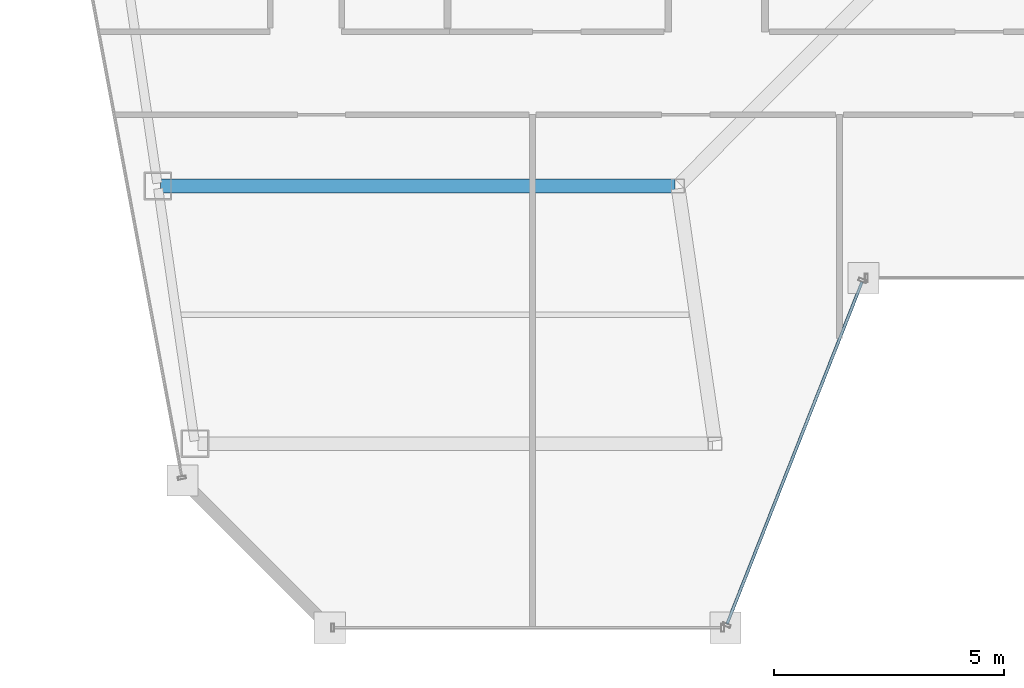
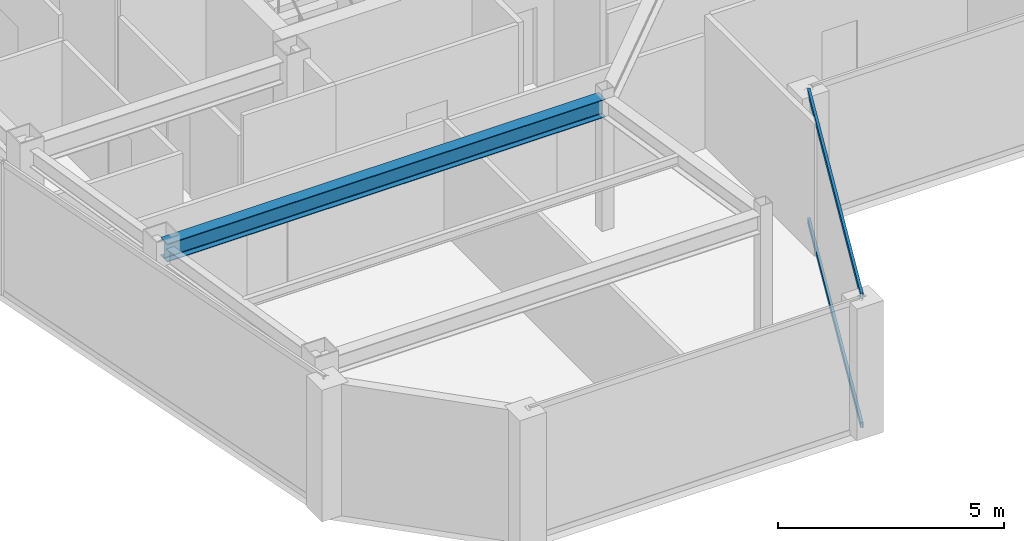
# One storey, part 5 of 23: 2 members, 1 beam, 1 element without a shape of its own.
"""IFC4 building model written with IfcOpenShell, lengths in metres."""

from ifc_helpers import new_model, si_unit, direction, frame, origin, origin_2d, place, context, subcontext, project, spatial, hollow_rectangle, i_section, extrude, material, material_profile, profile_set, type_object, element, aggregate, save


model = new_model("IFC4")

# Units and contexts
model_context = context("Model", 3, precision=1e-05, world=origin(), true_north=direction((0.0, 1.0)))
body_context = subcontext(model_context, "Body", "Model", "MODEL_VIEW")
ifc_project = project(units=[si_unit("LENGTHUNIT", "METRE"), si_unit("AREAUNIT", "SQUARE_METRE"), si_unit("VOLUMEUNIT", "CUBIC_METRE"), si_unit("PLANEANGLEUNIT", "RADIAN"), si_unit("MASSUNIT", "GRAM", prefix="KILO")], contexts=[model_context])

# Site, building, storey
site_placement = place(None, origin())
site = spatial("IfcSite", under=ifc_project, at=site_placement, CompositionType="ELEMENT")
building_placement = place(site_placement, origin())
building = spatial("IfcBuilding", under=site, at=building_placement, Name="Saevonmaru Cultural Tower", CompositionType="ELEMENT")
storey_placement = place(building_placement, frame((0.0, 0.0, 280.0)))
storey = spatial("IfcBuildingStorey", under=building, at=storey_placement, Name="L66", CompositionType="ELEMENT", Elevation=280.0)

# Beam
ifc_material_1 = material(Name="Steel SM355", Category="steel")
ifc_material_profile_1 = material_profile(ifc_material_1, i_section(OverallWidth=0.300048828125, OverallDepth=0.488037109375, WebThickness=0.010986328125, FlangeThickness=0.01806640625, FilletRadius=0.02197265625, at=origin_2d()), Name="H-488x300x11x18")
ifc_profile_set_1 = profile_set([ifc_material_profile_1], Name="Steel SM355")
beam_type = type_object("IfcBeamType", Name="BM-G-H488", PredefinedType="BEAM", material=ifc_profile_set_1)
beam_placement = place(storey_placement, frame((7.568115234375, 37.60009765625, 3.305908203125), z_axis=(1.0, 0.0, 0.0), x_axis=(0.0, 1.0, 0.0)))
element("IfcBeam", 1, at=beam_placement, inside=storey, type_object=beam_type, Name="L66 West Wing Transverse Girder 2", PredefinedType="BEAM", context=body_context, shape_type="SweptSolid", body=[
    extrude(i_section(OverallWidth=0.300048828125, OverallDepth=0.488037109375, WebThickness=0.010986328125, FlangeThickness=0.01806640625, FilletRadius=0.02197265625, at=origin_2d()), origin(), (0.0, 0.0, 1.0), 11.179931640625),
])

# Curtain wall, members
ifc_material_2 = material(Name="Satin Bronze Anodised Aluminium", Category="aluminium")
curtain_wall_type = type_object("IfcCurtainWallType", Name="CW-TYP-B", PredefinedType="NOTDEFINED", material=ifc_material_2)
curtain_wall_placement = place(storey_placement, origin())
curtain_wall = element("IfcCurtainWall", 2, at=curtain_wall_placement, inside=storey, type_object=curtain_wall_type, Name="L66 Unitised Curtain Wall E3", PredefinedType="NOTDEFINED")
ifc_material_profile_2 = material_profile(ifc_material_2, hollow_rectangle(XDim=0.06494140625, YDim=0.14990234375, WallThickness=0.00390625, at=origin_2d()), Name="ALU-TRAN-150x65x4")
ifc_profile_set_2 = profile_set([ifc_material_profile_2], Name="Satin Bronze Anodised Aluminium")
member_type = type_object("IfcMemberType", Name="TR-CW-150x65", PredefinedType="USERDEFINED", material=ifc_profile_set_2)
member_1_placement = place(storey_placement, frame((19.87841796875, 28.0859375, 0.032470703125), z_axis=(0.367170015072, 0.930153847507, 0.0), x_axis=(-0.930153847507, 0.367170015072, 0.0)))
member_1 = element("IfcMember", 3, at=member_1_placement, type_object=member_type, Name="CW-TW-L66-E3 transom 1.1", ObjectType="TRANSOM", PredefinedType="USERDEFINED", context=body_context, shape_type="SweptSolid", body=[
    extrude(hollow_rectangle(XDim=0.06494140625, YDim=0.14990234375, WallThickness=0.00390625, at=origin_2d()), origin(), (0.0, 0.0, 1.0), 7.98583984375),
])
member_2_placement = place(storey_placement, frame((19.87841796875, 28.0859375, 3.517578125), z_axis=(0.367170015072, 0.930153847507, 0.0), x_axis=(-0.930153847507, 0.367170015072, 0.0)))
member_2 = element("IfcMember", 4, at=member_2_placement, type_object=member_type, Name="CW-TW-L66-E3 transom 1.2", ObjectType="TRANSOM", PredefinedType="USERDEFINED", context=body_context, shape_type="SweptSolid", body=[
    extrude(hollow_rectangle(XDim=0.06494140625, YDim=0.14990234375, WallThickness=0.00390625, at=origin_2d()), origin(), (0.0, 0.0, 1.0), 7.98583984375),
])
aggregate(curtain_wall, [member_1, member_2])

save(model, "model.ifc")
